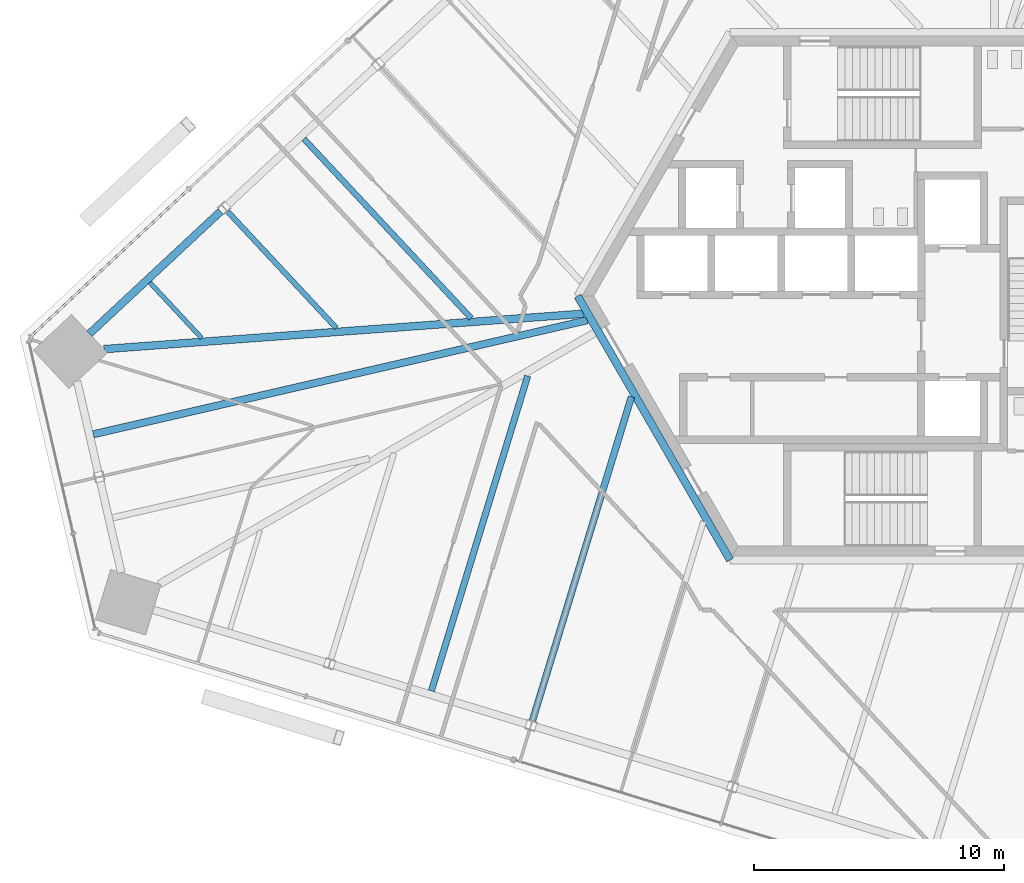
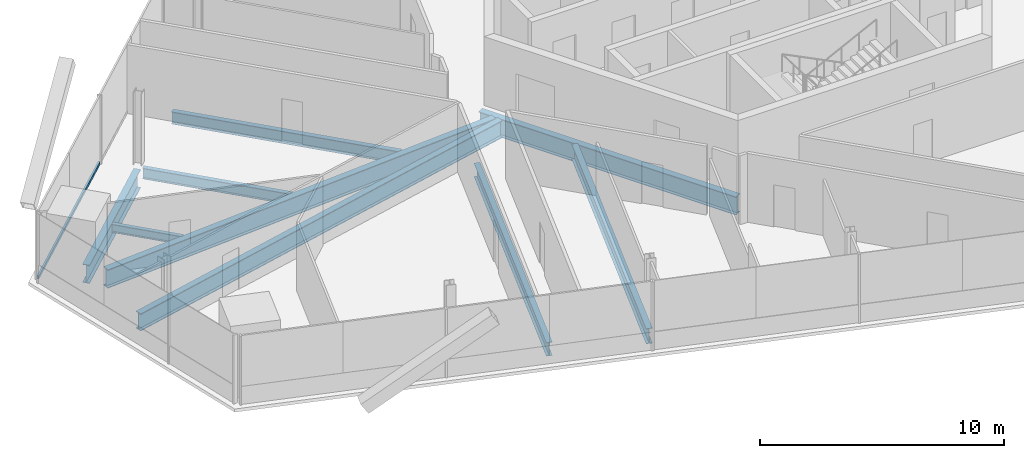
# One storey, part 5 of 18: 9 beams, 1 member, 1 element without a shape of its own.
"""IFC4 building model written with IfcOpenShell, lengths in metres."""

from ifc_helpers import new_model, si_unit, direction, frame, origin, origin_2d, place, context, subcontext, project, spatial, rectangle, i_section, extrude, source, transform, mapped, material, material_profile, profile_set, type_object, element, aggregate, save


model = new_model("IFC4")

# Units and contexts
model_context = context("Model", 3, precision=1e-05, world=origin(), true_north=direction((0.0, 1.0)))
body_context = subcontext(model_context, "Body", "Model", "MODEL_VIEW")
ifc_project = project(units=[si_unit("LENGTHUNIT", "METRE"), si_unit("AREAUNIT", "SQUARE_METRE"), si_unit("VOLUMEUNIT", "CUBIC_METRE"), si_unit("PLANEANGLEUNIT", "RADIAN"), si_unit("MASSUNIT", "GRAM", prefix="KILO")], contexts=[model_context])

# Site, building, storey
site_placement = place(None, origin())
site = spatial("IfcSite", under=ifc_project, at=site_placement, CompositionType="ELEMENT")
building_placement = place(site_placement, origin())
building = spatial("IfcBuilding", under=site, at=building_placement, Name="Triune Harvest Tower", CompositionType="ELEMENT")
storey_placement = place(building_placement, frame((0.0, 0.0, 101.89990234375)))
storey = spatial("IfcBuildingStorey", under=building, at=storey_placement, Name="L25", CompositionType="ELEMENT", Elevation=101.89990234375)

# Beams
ifc_material_1 = material(Name="Steel ASTM A992 Gr 50", Category="steel")
ifc_material_profile_1 = material_profile(ifc_material_1, i_section(OverallWidth=0.3046875, OverallDepth=0.914306640625, WebThickness=0.0166015625, FlangeThickness=0.02587890625, at=origin_2d()), Name="W36x160")
ifc_profile_set_1 = profile_set([ifc_material_profile_1], Name="Steel ASTM A992 Gr 50")
beam_type_1 = type_object("IfcBeamType", Name="CG-1 Core ring girder W36x160", PredefinedType="BEAM", material=ifc_profile_set_1)
shared_shape_1 = source(origin(), body_context, "Body", "SweptSolid", [
    extrude(i_section(OverallWidth=0.3046875, OverallDepth=0.914306640625, WebThickness=0.0166015625, FlangeThickness=0.02587890625, at=origin_2d()), origin(), (0.0, 0.0, 1.0), 12.176025390625),
])
beam_1_placement = place(storey_placement, frame((-12.176025390625, 0.0, -0.6171875), z_axis=(0.5000099932, -0.866019634131, 0.0), x_axis=(0.866019634131, 0.5000099932, 0.0)))
element("IfcBeam", 1, at=beam_1_placement, inside=storey, type_object=beam_type_1, Name="beam/L25/CG4", PredefinedType="BEAM", context=body_context, shape_type="MappedRepresentation", body=[
    mapped(shared_shape_1, transform((0.0, 0.0, 0.0), scale=1.0)),
])
ifc_material_2 = material(Name="Steel ASTM A992 Gr 50", Category="steel")
ifc_material_profile_2 = material_profile(ifc_material_2, i_section(OverallWidth=0.3046875, OverallDepth=0.914306640625, WebThickness=0.0166015625, FlangeThickness=0.02587890625, at=origin_2d()), Name="W36x160")
ifc_profile_set_2 = profile_set([ifc_material_profile_2], Name="Steel ASTM A992 Gr 50")
beam_type_2 = type_object("IfcBeamType", Name="SB-1 Spandrel beam W36x160", PredefinedType="SPANDREL", material=ifc_profile_set_2)
shared_shape_2 = source(origin(), body_context, "Body", "SweptSolid", [
    extrude(i_section(OverallWidth=0.3046875, OverallDepth=0.914306640625, WebThickness=0.0166015625, FlangeThickness=0.02587890625, at=origin_2d()), origin(), (0.0, 0.0, 1.0), 7.16650390625),
])
beam_2_placement = place(storey_placement, frame((-26.4375, 3.384521484375, -0.6171875), z_axis=(-0.731357675554, -0.681994098515, 0.0), x_axis=(0.681994098515, -0.731357675554, 0.0)))
element("IfcBeam", 2, at=beam_2_placement, inside=storey, type_object=beam_type_2, Name="beam/L25/SB14", PredefinedType="SPANDREL", context=body_context, shape_type="MappedRepresentation", body=[
    mapped(shared_shape_2, transform((0.0, 0.0, 0.0), scale=1.0)),
])
ifc_material_3 = material(Name="Steel ASTM A992 Gr 50", Category="steel")
ifc_material_profile_3 = material_profile(ifc_material_3, i_section(OverallWidth=0.307373046875, OverallDepth=0.922119140625, WebThickness=0.018310546875, FlangeThickness=0.030029296875, at=origin_2d()), Name="W36x182")
ifc_profile_set_3 = profile_set([ifc_material_profile_3], Name="Steel ASTM A992 Gr 50")
beam_type_3 = type_object("IfcBeamType", Name="HG-2 Hip girder W36x182", PredefinedType="BEAM", material=ifc_profile_set_3)
shared_shape_3 = source(origin(), body_context, "Body", "SweptSolid", [
    extrude(i_section(OverallWidth=0.307373046875, OverallDepth=0.922119140625, WebThickness=0.018310546875, FlangeThickness=0.030029296875, at=origin_2d()), origin(), (0.0, 0.0, 1.0), 19.2109375),
])
beam_3_placement = place(storey_placement, frame((-31.103515625, -2.119873046875, -0.620849609375), z_axis=(0.997285410262, 0.07363294425, 0.0), x_axis=(-0.07363294425, 0.997285410262, 0.0)))
element("IfcBeam", 3, at=beam_3_placement, inside=storey, type_object=beam_type_3, Name="beam/L25/HG5", PredefinedType="BEAM", context=body_context, shape_type="MappedRepresentation", body=[
    mapped(shared_shape_3, transform((0.0, 0.0, 0.0), scale=1.0)),
])
ifc_material_4 = material(Name="Steel ASTM A992 Gr 50", Category="steel")
ifc_material_profile_4 = material_profile(ifc_material_4, i_section(OverallWidth=0.22900390625, OverallDepth=0.612060546875, WebThickness=0.011962890625, FlangeThickness=0.01953125, at=origin_2d()), Name="W24x84")
ifc_profile_set_4 = profile_set([ifc_material_profile_4], Name="Steel ASTM A992 Gr 50")
beam_type_4 = type_object("IfcBeamType", Name="JT-3 Floor joist W24x84", PredefinedType="JOIST", material=ifc_profile_set_4)
shared_shape_4 = source(origin(), body_context, "Body", "SweptSolid", [
    extrude(i_section(OverallWidth=0.22900390625, OverallDepth=0.612060546875, WebThickness=0.011962890625, FlangeThickness=0.01953125, at=origin_2d()), origin(), (0.0, 0.0, 1.0), 9.790283203125),
])
beam_4_placement = place(storey_placement, frame((-23.11181640625, 6.27734375, -0.466064453125), z_axis=(0.682000995077, -0.731351244419, 0.0), x_axis=(0.731351244419, 0.682000995077, 0.0)))
element("IfcBeam", 4, at=beam_4_placement, inside=storey, type_object=beam_type_4, Name="beam/L25/JT22", PredefinedType="JOIST", context=body_context, shape_type="MappedRepresentation", body=[
    mapped(shared_shape_4, transform((0.0, 0.0, 0.0), scale=1.0)),
])
ifc_material_5 = material(Name="Steel ASTM A992 Gr 50", Category="steel")
ifc_material_profile_5 = material_profile(ifc_material_5, i_section(OverallWidth=0.180908203125, OverallDepth=0.41650390625, WebThickness=0.010986328125, FlangeThickness=0.01806640625, at=origin_2d()), Name="W16x57")
ifc_profile_set_5 = profile_set([ifc_material_profile_5], Name="Steel ASTM A992 Gr 50")
beam_type_5 = type_object("IfcBeamType", Name="JT-1 Floor joist W16x57", PredefinedType="JOIST", material=ifc_profile_set_5)
shared_shape_5 = source(origin(), body_context, "Body", "SweptSolid", [
    extrude(i_section(OverallWidth=0.180908203125, OverallDepth=0.41650390625, WebThickness=0.010986328125, FlangeThickness=0.01806640625, at=origin_2d()), origin(), (0.0, 0.0, 1.0), 3.0302734375),
])
beam_5_placement = place(storey_placement, frame((-29.265625, 0.538818359375, -0.3681640625), z_axis=(0.681982331581, -0.731368648091, 0.0), x_axis=(0.731368648091, 0.681982331581, 0.0)))
element("IfcBeam", 5, at=beam_5_placement, inside=storey, type_object=beam_type_5, Name="beam/L25/JT24", PredefinedType="JOIST", context=body_context, shape_type="MappedRepresentation", body=[
    mapped(shared_shape_5, transform((0.0, 0.0, 0.0), scale=1.0)),
])
ifc_material_6 = material(Name="Steel ASTM A992 Gr 50", Category="steel")
ifc_material_profile_6 = material_profile(ifc_material_6, i_section(OverallWidth=0.253662109375, OverallDepth=0.683349609375, WebThickness=0.012451171875, FlangeThickness=0.01904296875, at=origin_2d()), Name="W27x94")
ifc_profile_set_6 = profile_set([ifc_material_profile_6], Name="Steel ASTM A992 Gr 50")
beam_type_6 = type_object("IfcBeamType", Name="JT-4 Floor joist W27x94", PredefinedType="JOIST", material=ifc_profile_set_6)
shared_shape_6 = source(origin(), body_context, "Body", "SweptSolid", [
    extrude(i_section(OverallWidth=0.253662109375, OverallDepth=0.683349609375, WebThickness=0.012451171875, FlangeThickness=0.01904296875, at=origin_2d()), origin(), (0.0, 0.0, 1.0), 13.157470703125),
])
beam_6_placement = place(storey_placement, frame((-18.02099609375, -15.773681640625, -0.50146484375), z_axis=(0.292375983311, 0.956303447857, 0.0), x_axis=(-0.956303447857, 0.292375983311, 0.0)))
element("IfcBeam", 6, at=beam_6_placement, inside=storey, type_object=beam_type_6, Name="beam/L25/JT29", PredefinedType="JOIST", context=body_context, shape_type="MappedRepresentation", body=[
    mapped(shared_shape_6, transform((0.0, 0.0, 0.0), scale=1.0)),
])
ifc_material_7 = material(Name="Steel ASTM A992 Gr 50", Category="steel")
ifc_material_profile_7 = material_profile(ifc_material_7, i_section(OverallWidth=0.2099609375, OverallDepth=0.535888671875, WebThickness=0.010986328125, FlangeThickness=0.017333984375, at=origin_2d()), Name="W21x68")
ifc_profile_set_7 = profile_set([ifc_material_profile_7], Name="Steel ASTM A992 Gr 50")
beam_type_7 = type_object("IfcBeamType", Name="JT-2 Floor joist W21x68", PredefinedType="JOIST", material=ifc_profile_set_7)
shared_shape_7 = source(origin(), body_context, "Body", "SweptSolid", [
    extrude(i_section(OverallWidth=0.2099609375, OverallDepth=0.535888671875, WebThickness=0.010986328125, FlangeThickness=0.017333984375, at=origin_2d()), origin(), (0.0, 0.0, 1.0), 6.3720703125),
])
beam_7_placement = place(storey_placement, frame((-26.16259765625, 3.380126953125, -0.427978515625), z_axis=(0.682001475832, -0.731350796105, 0.0), x_axis=(0.731350796105, 0.682001475832, 0.0)))
element("IfcBeam", 7, at=beam_7_placement, inside=storey, type_object=beam_type_7, Name="beam/L25/JT23", PredefinedType="JOIST", context=body_context, shape_type="MappedRepresentation", body=[
    mapped(shared_shape_7, transform((0.0, 0.0, 0.0), scale=1.0)),
])
ifc_material_8 = material(Name="Steel ASTM A992 Gr 50", Category="steel")
ifc_material_profile_8 = material_profile(ifc_material_8, i_section(OverallWidth=0.2919921875, OverallDepth=0.8583984375, WebThickness=0.01708984375, FlangeThickness=0.031005859375, at=origin_2d()), Name="W33x169")
ifc_profile_set_8 = profile_set([ifc_material_profile_8], Name="Steel ASTM A992 Gr 50")
beam_type_8 = type_object("IfcBeamType", Name="JT-7 Floor joist W33x169", PredefinedType="JOIST", material=ifc_profile_set_8)
shared_shape_8 = source(origin(), body_context, "Body", "SweptSolid", [
    extrude(i_section(OverallWidth=0.2919921875, OverallDepth=0.8583984375, WebThickness=0.01708984375, FlangeThickness=0.031005859375, at=origin_2d()), origin(), (0.0, 0.0, 1.0), 20.25244140625),
])
beam_8_placement = place(storey_placement, frame((-31.52783203125, -5.521484375, -0.589111328125), z_axis=(0.974371687507, 0.224944025448, 0.0), x_axis=(-0.224944025448, 0.974371687507, 0.0)))
element("IfcBeam", 8, at=beam_8_placement, inside=storey, type_object=beam_type_8, Name="beam/L25/JT25", PredefinedType="JOIST", context=body_context, shape_type="MappedRepresentation", body=[
    mapped(shared_shape_8, transform((0.0, 0.0, 0.0), scale=1.0)),
])
ifc_material_9 = material(Name="Steel ASTM A992 Gr 50", Category="steel")
ifc_material_profile_9 = material_profile(ifc_material_9, i_section(OverallWidth=0.2666015625, OverallDepth=0.7568359375, WebThickness=0.013916015625, FlangeThickness=0.019287109375, at=origin_2d()), Name="W30x108")
ifc_profile_set_9 = profile_set([ifc_material_profile_9], Name="Steel ASTM A992 Gr 50")
beam_type_9 = type_object("IfcBeamType", Name="JT-5 Floor joist W30x108", PredefinedType="JOIST", material=ifc_profile_set_9)
shared_shape_9 = source(origin(), body_context, "Body", "SweptSolid", [
    extrude(i_section(OverallWidth=0.2666015625, OverallDepth=0.7568359375, WebThickness=0.013916015625, FlangeThickness=0.019287109375, at=origin_2d()), origin(), (0.0, 0.0, 1.0), 13.53515625),
])
beam_9_placement = place(storey_placement, frame((-13.986328125, -16.96728515625, -0.538330078125), z_axis=(0.292367922799, 0.956305912205, 0.0), x_axis=(-0.956305912205, 0.292367922799, 0.0)))
element("IfcBeam", 9, at=beam_9_placement, inside=storey, type_object=beam_type_9, Name="beam/L25/JT30", PredefinedType="JOIST", context=body_context, shape_type="MappedRepresentation", body=[
    mapped(shared_shape_9, transform((0.0, 0.0, 0.0), scale=1.0)),
])

# Curtain wall, member
ifc_material_10 = material(Name="Aluminium bronze anodised", Category="aluminium")
curtain_wall_type = type_object("IfcCurtainWallType", Name="CW-10 Balcony window wall with insulated spandrel infill", PredefinedType="NOTDEFINED", material=ifc_material_10)
curtain_wall_placement = place(storey_placement, origin())
curtain_wall = element("IfcCurtainWall", 10, at=curtain_wall_placement, inside=storey, type_object=curtain_wall_type, Name="CW-10 B3-F3 L25 run 1002")
ifc_material_11 = material(Name="Aluminium bronze anodised", Category="aluminium")
ifc_material_profile_10 = material_profile(ifc_material_11, rectangle(XDim=0.090087890625, YDim=0.14990234375, at=origin_2d()), Name="TR-6 transom 90 x 150")
ifc_profile_set_10 = profile_set([ifc_material_profile_10], Name="Aluminium bronze anodised")
member_type = type_object("IfcMemberType", Name="TR-6 transom 90 x 150", PredefinedType="USERDEFINED", material=ifc_profile_set_10)
shared_shape_10 = source(origin(), body_context, "Body", "SweptSolid", [
    extrude(rectangle(XDim=0.090087890625, YDim=0.14990234375, at=origin_2d()), origin(), (0.0, 0.0, 1.0), 8.571533203125),
])
member_placement = place(storey_placement, frame((-27.73388671875, 4.251953125, 0.0751953125), z_axis=(-0.731369646516, -0.681981260853, 0.0), x_axis=(0.681981260853, -0.731369646516, 0.0)))
member = element("IfcMember", 11, at=member_placement, type_object=member_type, Name="CW-10 transom B3-F3 1002.2", ObjectType="TRANSOM", PredefinedType="USERDEFINED", context=body_context, shape_type="MappedRepresentation", body=[
    mapped(shared_shape_10, transform((0.0, 0.0, 0.0), scale=1.0)),
])
aggregate(curtain_wall, [member])

save(model, "model.ifc")
